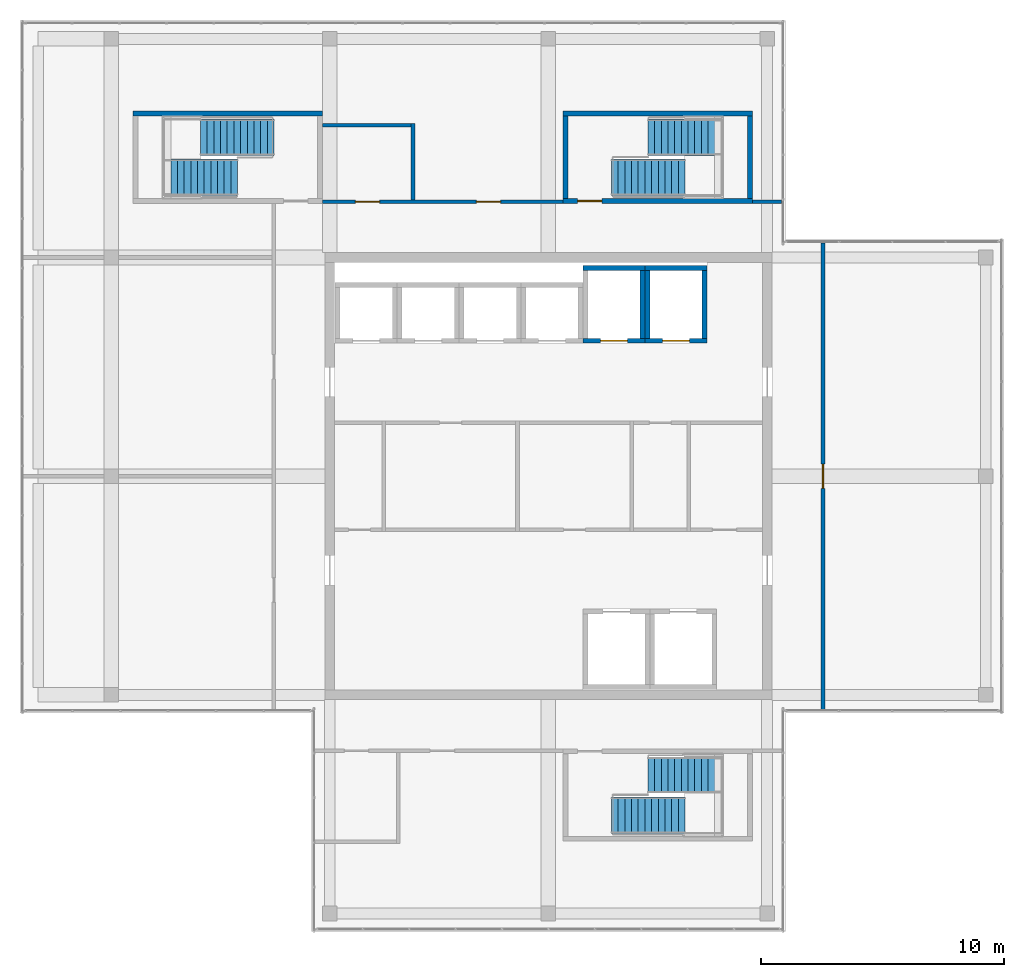
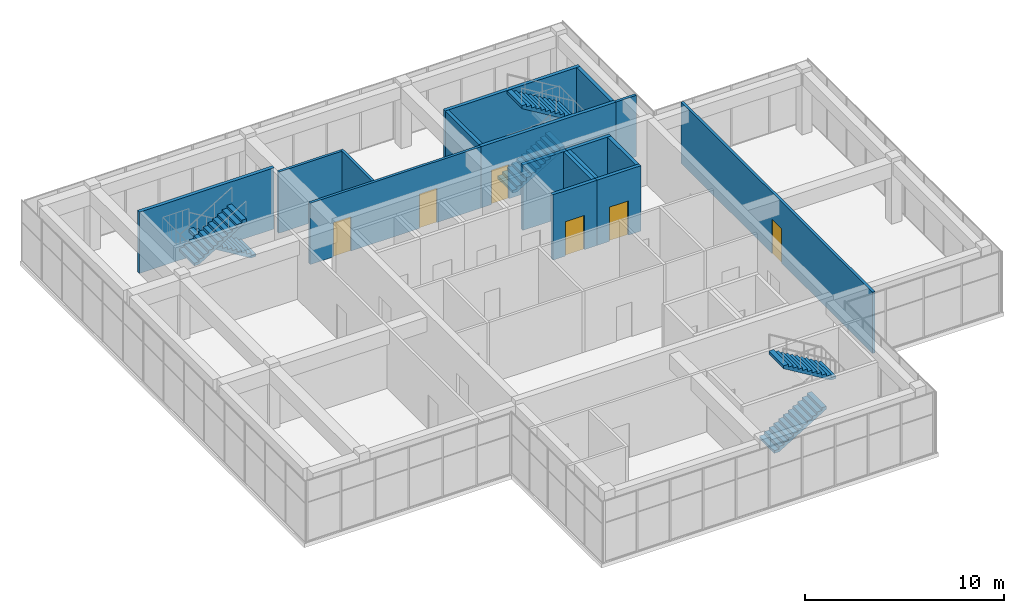
# One storey, part 33 of 35: 17 walls, 6 doors, 6 stair flights, 6 openings, 3 elements without a shape of their own.
"""IFC4 building model written with IfcOpenShell, lengths in metres."""

from ifc_helpers import new_model, si_unit, direction, frame, frame_2d, origin, place, context, subcontext, project, spatial, polyline, rectangle, outline, extrude, material, layer, layer_set, type_object, element, fill, aggregate, save


model = new_model("IFC4")

# Units and contexts
model_context = context("Model", 3, precision=1e-05, world=origin(), true_north=direction((0.0, 1.0)))
body_context = subcontext(model_context, "Body", "Model", "MODEL_VIEW")
ifc_project = project(units=[si_unit("LENGTHUNIT", "METRE"), si_unit("AREAUNIT", "SQUARE_METRE"), si_unit("VOLUMEUNIT", "CUBIC_METRE"), si_unit("PLANEANGLEUNIT", "RADIAN"), si_unit("MASSUNIT", "GRAM", prefix="KILO")], contexts=[model_context])

# Site, building, storey
site_placement = place(None, origin())
site = spatial("IfcSite", under=ifc_project, at=site_placement, CompositionType="ELEMENT")
building_placement = place(site_placement, origin())
building = spatial("IfcBuilding", under=site, at=building_placement, Name="Tuart Plaza Theatre", CompositionType="ELEMENT")
storey_placement = place(building_placement, frame((0.0, 0.0, 45.5)))
storey = spatial("IfcBuildingStorey", under=building, at=storey_placement, Name="L11", CompositionType="ELEMENT", Elevation=45.5)

# Wall, opening, door
ifc_material_1 = material(Name="Masonry block", Category="masonry")
ifc_layer_1 = layer(ifc_material_1, 0.14990234375)
ifc_layer_set_1 = layer_set([ifc_layer_1], Name="PARTITION BLK150 MASONRYB FRL 120/-/-")
wall_type_1 = type_object("IfcWallType", Name="PARTITION BLK150 MASONRYB FRL 120/-/-", PredefinedType="PARTITIONING", material=ifc_layer_set_1)
wall_1_placement = place(storey_placement, frame((143.300048828125, 83.60009765625, 0.0), z_axis=(0.0, 0.0, 1.0), x_axis=(0.0, -1.0, 0.0)))
wall_1 = element("IfcWall", 1, at=wall_1_placement, inside=storey, type_object=wall_type_1, Name="P683", PredefinedType="PARTITIONING", context=body_context, shape_type="SweptSolid", body=[
    extrude(rectangle(XDim=19.2001953125, YDim=0.14990234375, at=frame_2d((9.60009765625, 0.0))), origin(), (0.0, 0.0, 1.0), 3.75),
])
opening_1_placement = place(wall_1_placement, frame((9.10009765625, 0.0, 0.0)))
opening_1 = element("IfcOpeningElement", 2, at=opening_1_placement, cuts=wall_1, Name="Opening L11-025", PredefinedType="OPENING", context=body_context, shape_type="SweptSolid", body=[
    extrude(rectangle(XDim=1.0, YDim=2.10009765625, at=frame_2d((0.5, 1.050048828125))), frame((0.0, 0.0849609375, 0.0), z_axis=(0.0, -1.0, 0.0), x_axis=(1.0, 0.0, 0.0)), (0.0, 0.0, 1.0), 0.169921875),
])
ifc_material_2 = material(Name="Timber", Category="wood")
door_type_1 = type_object("IfcDoorType", Name="DOOR 1000x2100 timber single swing FRL -/60/30", OperationType="SINGLE_SWING_LEFT", PredefinedType="DOOR", material=ifc_material_2)
door_1_placement = place(opening_1_placement, origin())
door_1 = element("IfcDoor", 3, at=door_1_placement, inside=storey, type_object=door_type_1, Name="L11-025", OperationType="SINGLE_SWING_LEFT", OverallHeight=2.10009765625, OverallWidth=1.0, PredefinedType="DOOR", context=body_context, shape_type="SweptSolid", body=[
    extrude(rectangle(XDim=1.0, YDim=2.10009765625, at=frame_2d((0.5, 1.050048828125))), frame((0.0, 0.02490234375, 0.0), z_axis=(0.0, -1.0, 0.0), x_axis=(1.0, 0.0, 0.0)), (0.0, 0.0, 1.0), 0.050048828125),
])
fill(opening_1, door_1)

# Wall, openings, doors
wall_2_placement = place(storey_placement, frame((122.699951171875, 85.300048828125, 0.0), z_axis=(0.0, 0.0, 1.0), x_axis=(1.0, 0.0, 0.0)))
wall_2 = element("IfcWall", 4, at=wall_2_placement, inside=storey, type_object=wall_type_1, Name="P684", PredefinedType="PARTITIONING", context=body_context, shape_type="SweptSolid", body=[
    extrude(rectangle(XDim=9.900146484375, YDim=0.14990234375, at=frame_2d((4.9501953125, 0.0))), origin(), (0.0, 0.0, 1.0), 3.75),
])
opening_2_placement = place(wall_2_placement, frame((1.35009765625, 0.0, 0.0)))
opening_2 = element("IfcOpeningElement", 5, at=opening_2_placement, cuts=wall_2, Name="Opening L11-022", PredefinedType="OPENING", context=body_context, shape_type="SweptSolid", body=[
    extrude(rectangle(XDim=1.0, YDim=2.10009765625, at=frame_2d((0.5, 1.050048828125))), frame((0.0, 0.0849609375, 0.0), z_axis=(0.0, -1.0, 0.0), x_axis=(1.0, 0.0, 0.0)), (0.0, 0.0, 1.0), 0.169921875),
])
opening_3_placement = place(wall_2_placement, frame((6.3349609375, 0.0, 0.0)))
opening_3 = element("IfcOpeningElement", 6, at=opening_3_placement, cuts=wall_2, Name="Opening L11-027", PredefinedType="OPENING", context=body_context, shape_type="SweptSolid", body=[
    extrude(rectangle(XDim=1.0, YDim=2.10009765625, at=frame_2d((0.5, 1.050048828125))), frame((0.0, 0.0849609375, 0.0), z_axis=(0.0, -1.0, 0.0), x_axis=(1.0, 0.0, 0.0)), (0.0, 0.0, 1.0), 0.169921875),
])
door_2_placement = place(opening_2_placement, origin())
door_2 = element("IfcDoor", 7, at=door_2_placement, inside=storey, type_object=door_type_1, Name="L11-022", OperationType="SINGLE_SWING_LEFT", OverallHeight=2.10009765625, OverallWidth=1.0, PredefinedType="DOOR", context=body_context, shape_type="SweptSolid", body=[
    extrude(rectangle(XDim=1.0, YDim=2.10009765625, at=frame_2d((0.5, 1.050048828125))), frame((0.0, 0.02490234375, 0.0), z_axis=(0.0, -1.0, 0.0), x_axis=(1.0, 0.0, 0.0)), (0.0, 0.0, 1.0), 0.050048828125),
])
fill(opening_2, door_2)
door_3_placement = place(opening_3_placement, origin())
door_3 = element("IfcDoor", 8, at=door_3_placement, inside=storey, type_object=door_type_1, Name="L11-027", OperationType="SINGLE_SWING_LEFT", OverallHeight=2.10009765625, OverallWidth=1.0, PredefinedType="DOOR", context=body_context, shape_type="SweptSolid", body=[
    extrude(rectangle(XDim=1.0, YDim=2.10009765625, at=frame_2d((0.5, 1.050048828125))), frame((0.0, 0.02490234375, 0.0), z_axis=(0.0, -1.0, 0.0), x_axis=(1.0, 0.0, 0.0)), (0.0, 0.0, 1.0), 0.050048828125),
])
fill(opening_3, door_3)

# Walls
wall_3_placement = place(storey_placement, frame((140.39990234375, 85.300048828125, 0.0), z_axis=(0.0, 0.0, 1.0), x_axis=(1.0, 0.0, 0.0)))
element("IfcWall", 9, at=wall_3_placement, inside=storey, type_object=wall_type_1, Name="P685", PredefinedType="PARTITIONING", context=body_context, shape_type="SweptSolid", body=[
    extrude(rectangle(XDim=1.2001953125, YDim=0.14990234375, at=frame_2d((0.60009765625, 0.0))), origin(), (0.0, 0.0, 1.0), 3.75),
])
wall_4_placement = place(storey_placement, frame((122.699951171875, 88.449951171875, 0.0), z_axis=(0.0, 0.0, 1.0), x_axis=(1.0, 0.0, 0.0)))
element("IfcWall", 10, at=wall_4_placement, inside=storey, type_object=wall_type_1, Name="P690", PredefinedType="PARTITIONING", context=body_context, shape_type="SweptSolid", body=[
    extrude(rectangle(XDim=3.650146484375, YDim=0.14990234375, at=frame_2d((1.8251953125, 0.0))), origin(), (0.0, 0.0, 1.0), 3.75),
])
wall_5_placement = place(storey_placement, frame((126.425048828125, 85.375, 0.0), z_axis=(0.0, 0.0, 1.0), x_axis=(0.0, 1.0, 0.0)))
element("IfcWall", 11, at=wall_5_placement, inside=storey, type_object=wall_type_1, Name="P691", PredefinedType="PARTITIONING", context=body_context, shape_type="SweptSolid", body=[
    extrude(rectangle(XDim=3.14990234375, YDim=0.14990234375, at=frame_2d((1.574951171875, 0.0))), origin(), (0.0, 0.0, 1.0), 3.75),
])

# Wall, opening, door
ifc_material_3 = material(Name="Concrete N40 (40 MPa)", Category="concrete")
ifc_layer_2 = layer(ifc_material_3, 0.199951171875)
ifc_layer_set_2 = layer_set([ifc_layer_2], Name="SHEAR WALL RC200 FRL 120/120/120")
wall_type_2 = type_object("IfcWallType", Name="SHEAR WALL RC200 FRL 120/120/120", PredefinedType="SHEAR", material=ifc_layer_set_2)
wall_6_placement = place(storey_placement, frame((133.425048828125, 79.574951171875, 0.0), z_axis=(0.0, 0.0, 1.0), x_axis=(1.0, 0.0, 0.0)))
wall_6 = element("IfcWall", 12, at=wall_6_placement, inside=storey, type_object=wall_type_2, Name="W1210", PredefinedType="SHEAR", context=body_context, shape_type="SweptSolid", body=[
    extrude(rectangle(XDim=2.550048828125, YDim=0.199951171875, at=frame_2d((1.27490234375, 0.0))), origin(), (0.0, 0.0, 1.0), 4.0),
])
opening_4_placement = place(wall_6_placement, frame((0.72509765625, 0.0, 0.0)))
opening_4 = element("IfcOpeningElement", 13, at=opening_4_placement, cuts=wall_6, Name="Opening L11-007", PredefinedType="OPENING", context=body_context, shape_type="SweptSolid", body=[
    extrude(rectangle(XDim=1.10009765625, YDim=2.10009765625, at=frame_2d((0.550048828125, 1.050048828125))), frame((0.0, 0.10986328125, 0.0), z_axis=(0.0, -1.0, 0.0), x_axis=(1.0, 0.0, 0.0)), (0.0, 0.0, 1.0), 0.219970703125),
])
ifc_material_4 = material(Name="Steel Grade 300", Category="steel")
door_type_2 = type_object("IfcDoorType", Name="LANDING DOOR 1100x2100 steel sliding FRL -/120/30", OperationType="SLIDING_TO_LEFT", PredefinedType="DOOR", material=ifc_material_4)
door_4_placement = place(opening_4_placement, origin())
door_4 = element("IfcDoor", 14, at=door_4_placement, inside=storey, type_object=door_type_2, Name="L11-007", OperationType="SLIDING_TO_LEFT", OverallHeight=2.10009765625, OverallWidth=1.10009765625, PredefinedType="DOOR", context=body_context, shape_type="SweptSolid", body=[
    extrude(rectangle(XDim=1.10009765625, YDim=2.10009765625, at=frame_2d((0.550048828125, 1.050048828125))), frame((0.0, 0.02490234375, 0.0), z_axis=(0.0, -1.0, 0.0), x_axis=(1.0, 0.0, 0.0)), (0.0, 0.0, 1.0), 0.050048828125),
])
fill(opening_4, door_4)

# Walls
wall_7_placement = place(storey_placement, frame((135.875, 79.675048828125, 0.0), z_axis=(0.0, 0.0, 1.0), x_axis=(0.0, 1.0, 0.0)))
element("IfcWall", 15, at=wall_7_placement, inside=storey, type_object=wall_type_2, Name="W1211", PredefinedType="SHEAR", context=body_context, shape_type="SweptSolid", body=[
    extrude(rectangle(XDim=2.800048828125, YDim=0.199951171875, at=frame_2d((1.39990234375, 0.0))), origin(), (0.0, 0.0, 1.0), 4.0),
])
wall_8_placement = place(storey_placement, frame((135.97509765625, 82.574951171875, 0.0), z_axis=(0.0, 0.0, 1.0), x_axis=(-1.0, 0.0, 0.0)))
element("IfcWall", 16, at=wall_8_placement, inside=storey, type_object=wall_type_2, Name="W1212", PredefinedType="SHEAR", context=body_context, shape_type="SweptSolid", body=[
    extrude(rectangle(XDim=2.550048828125, YDim=0.199951171875, at=frame_2d((1.27490234375, 0.0))), origin(), (0.0, 0.0, 1.0), 4.0),
])

# Wall, opening, door
wall_9_placement = place(storey_placement, frame((135.97509765625, 79.574951171875, 0.0), z_axis=(0.0, 0.0, 1.0), x_axis=(1.0, 0.0, 0.0)))
wall_9 = element("IfcWall", 17, at=wall_9_placement, inside=storey, type_object=wall_type_2, Name="W1286", PredefinedType="SHEAR", context=body_context, shape_type="SweptSolid", body=[
    extrude(rectangle(XDim=2.5498046875, YDim=0.199951171875, at=frame_2d((1.27490234375, 0.0))), origin(), (0.0, 0.0, 1.0), 4.0),
])
opening_5_placement = place(wall_9_placement, frame((0.72509765625, 0.0, 0.0)))
opening_5 = element("IfcOpeningElement", 18, at=opening_5_placement, cuts=wall_9, Name="Opening L11-008", PredefinedType="OPENING", context=body_context, shape_type="SweptSolid", body=[
    extrude(rectangle(XDim=1.10009765625, YDim=2.10009765625, at=frame_2d((0.550048828125, 1.050048828125))), frame((0.0, 0.10986328125, 0.0), z_axis=(0.0, -1.0, 0.0), x_axis=(1.0, 0.0, 0.0)), (0.0, 0.0, 1.0), 0.219970703125),
])
door_5_placement = place(opening_5_placement, origin())
door_5 = element("IfcDoor", 19, at=door_5_placement, inside=storey, type_object=door_type_2, Name="L11-008", OperationType="SLIDING_TO_LEFT", OverallHeight=2.10009765625, OverallWidth=1.10009765625, PredefinedType="DOOR", context=body_context, shape_type="SweptSolid", body=[
    extrude(rectangle(XDim=1.10009765625, YDim=2.10009765625, at=frame_2d((0.550048828125, 1.050048828125))), frame((0.0, 0.02490234375, 0.0), z_axis=(0.0, -1.0, 0.0), x_axis=(1.0, 0.0, 0.0)), (0.0, 0.0, 1.0), 0.050048828125),
])
fill(opening_5, door_5)

# Walls
wall_10_placement = place(storey_placement, frame((138.425048828125, 79.675048828125, 0.0), z_axis=(0.0, 0.0, 1.0), x_axis=(0.0, 1.0, 0.0)))
element("IfcWall", 20, at=wall_10_placement, inside=storey, type_object=wall_type_2, Name="W1287", PredefinedType="SHEAR", context=body_context, shape_type="SweptSolid", body=[
    extrude(rectangle(XDim=2.800048828125, YDim=0.199951171875, at=frame_2d((1.39990234375, 0.0))), origin(), (0.0, 0.0, 1.0), 4.0),
])
wall_11_placement = place(storey_placement, frame((138.52490234375, 82.574951171875, 0.0), z_axis=(0.0, 0.0, 1.0), x_axis=(-1.0, 0.0, 0.0)))
element("IfcWall", 21, at=wall_11_placement, inside=storey, type_object=wall_type_2, Name="W1288", PredefinedType="SHEAR", context=body_context, shape_type="SweptSolid", body=[
    extrude(rectangle(XDim=2.5498046875, YDim=0.199951171875, at=frame_2d((1.27490234375, 0.0))), origin(), (0.0, 0.0, 1.0), 4.0),
])
wall_12_placement = place(storey_placement, frame((136.074951171875, 82.47509765625, 0.0), z_axis=(0.0, 0.0, 1.0), x_axis=(0.0, -1.0, 0.0)))
element("IfcWall", 22, at=wall_12_placement, inside=storey, type_object=wall_type_2, Name="W1289", PredefinedType="SHEAR", context=body_context, shape_type="SweptSolid", body=[
    extrude(rectangle(XDim=2.800048828125, YDim=0.199951171875, at=frame_2d((1.39990234375, 0.0))), origin(), (0.0, 0.0, 1.0), 4.0),
])

# Wall, opening, door
wall_13_placement = place(storey_placement, frame((132.60009765625, 85.324951171875, 0.0), z_axis=(0.0, 0.0, 1.0), x_axis=(1.0, 0.0, 0.0)))
wall_13 = element("IfcWall", 23, at=wall_13_placement, inside=storey, type_object=wall_type_2, Name="P436", PredefinedType="SHEAR", context=body_context, shape_type="SweptSolid", body=[
    extrude(rectangle(XDim=7.7998046875, YDim=0.199951171875, at=frame_2d((3.89990234375, 0.0))), origin(), (0.0, 0.0, 1.0), 3.75),
])
opening_6_placement = place(wall_13_placement, frame((0.60009765625, 0.0, 0.0)))
opening_6 = element("IfcOpeningElement", 24, at=opening_6_placement, cuts=wall_13, Name="Opening L11-010", PredefinedType="OPENING", context=body_context, shape_type="SweptSolid", body=[
    extrude(rectangle(XDim=1.0, YDim=2.10009765625, at=frame_2d((0.5, 1.050048828125))), frame((0.0, 0.10986328125, 0.0), z_axis=(0.0, -1.0, 0.0), x_axis=(1.0, 0.0, 0.0)), (0.0, 0.0, 1.0), 0.219970703125),
])
ifc_material_5 = material(Name="Steel Grade 300", Category="steel")
door_type_3 = type_object("IfcDoorType", Name="DOOR 1000x2100 steel single swing FRL -/120/30", OperationType="SINGLE_SWING_LEFT", PredefinedType="DOOR", material=ifc_material_5)
door_6_placement = place(opening_6_placement, origin())
door_6 = element("IfcDoor", 25, at=door_6_placement, inside=storey, type_object=door_type_3, Name="L11-010", OperationType="SINGLE_SWING_RIGHT", OverallHeight=2.10009765625, OverallWidth=1.0, PredefinedType="DOOR", context=body_context, shape_type="SweptSolid", body=[
    extrude(rectangle(XDim=1.0, YDim=2.10009765625, at=frame_2d((0.5, 1.050048828125))), frame((0.0, 0.02490234375, 0.0), z_axis=(0.0, -1.0, 0.0), x_axis=(1.0, 0.0, 0.0)), (0.0, 0.0, 1.0), 0.050048828125),
])
fill(opening_6, door_6)

# Walls
wall_14_placement = place(storey_placement, frame((140.300048828125, 85.425048828125, 0.0), z_axis=(0.0, 0.0, 1.0), x_axis=(0.0, 1.0, 0.0)))
element("IfcWall", 26, at=wall_14_placement, inside=storey, type_object=wall_type_2, Name="P437", PredefinedType="SHEAR", context=body_context, shape_type="SweptSolid", body=[
    extrude(rectangle(XDim=3.39990234375, YDim=0.199951171875, at=frame_2d((1.699951171875, 0.0))), origin(), (0.0, 0.0, 1.0), 3.75),
])
wall_15_placement = place(storey_placement, frame((140.39990234375, 88.925048828125, 0.0), z_axis=(0.0, 0.0, 1.0), x_axis=(-1.0, 0.0, 0.0)))
element("IfcWall", 27, at=wall_15_placement, inside=storey, type_object=wall_type_2, Name="P438", PredefinedType="SHEAR", context=body_context, shape_type="SweptSolid", body=[
    extrude(rectangle(XDim=7.7998046875, YDim=0.199951171875, at=frame_2d((3.89990234375, 0.0))), origin(), (0.0, 0.0, 1.0), 3.75),
])
wall_16_placement = place(storey_placement, frame((132.699951171875, 88.824951171875, 0.0), z_axis=(0.0, 0.0, 1.0), x_axis=(0.0, -1.0, 0.0)))
element("IfcWall", 28, at=wall_16_placement, inside=storey, type_object=wall_type_2, Name="P439", PredefinedType="SHEAR", context=body_context, shape_type="SweptSolid", body=[
    extrude(rectangle(XDim=3.39990234375, YDim=0.199951171875, at=frame_2d((1.699951171875, 0.0))), origin(), (0.0, 0.0, 1.0), 3.75),
])
wall_17_placement = place(storey_placement, frame((122.699951171875, 88.925048828125, 0.0), z_axis=(0.0, 0.0, 1.0), x_axis=(-1.0, 0.0, 0.0)))
element("IfcWall", 29, at=wall_17_placement, inside=storey, type_object=wall_type_2, Name="P466", PredefinedType="SHEAR", context=body_context, shape_type="SweptSolid", body=[
    extrude(rectangle(XDim=7.800048828125, YDim=0.199951171875, at=frame_2d((3.89990234375, 0.0))), origin(), (0.0, 0.0, 1.0), 3.75),
])

# Stair, stair flights
ifc_material_6 = material(Name="Concrete N40 (40 MPa)", Category="concrete")
stair_type = type_object("IfcStairType", Name="STAIR half turn 1500", PredefinedType="HALF_TURN_STAIR", material=ifc_material_6)
stair_1_placement = place(storey_placement, origin())
stair_1 = element("IfcStair", 30, at=stair_1_placement, inside=storey, type_object=stair_type, Name="SC-5", PredefinedType="HALF_TURN_STAIR")
ifc_material_7 = material(Name="Concrete N40 (40 MPa)", Category="concrete")
stair_flight_type = type_object("IfcStairFlightType", Name="STAIR FLIGHT 166.7 275 1500", PredefinedType="STRAIGHT", material=ifc_material_7)
stair_flight_1_placement = place(storey_placement, frame((134.594970703125, 60.050048828125, 0.0), z_axis=(0.0, 0.0, 1.0), x_axis=(1.0, 0.0, 0.0)))
stair_flight_1 = element("IfcStairFlight", 31, at=stair_flight_1_placement, type_object=stair_flight_type, Name="SC-5 flight 1", NumberOfRisers=12, NumberOfTreads=11, PredefinedType="STRAIGHT", RiserHeight=0.166666667, TreadLength=0.275, context=body_context, shape_type="SweptSolid", body=[
    extrude(outline(polyline([(0.0, 0.0), (0.0, 0.166748046875), (0.27490234375, 0.166748046875), (0.27490234375, 0.333251953125), (0.550048828125, 0.333251953125), (0.550048828125, 0.5), (0.824951171875, 0.5), (0.824951171875, 0.666748046875), (1.10009765625, 0.666748046875), (1.10009765625, 0.833251953125), (1.375, 0.833251953125), (1.375, 1.0), (1.64990234375, 1.0), (1.64990234375, 1.166748046875), (1.925048828125, 1.166748046875), (1.925048828125, 1.333251953125), (2.199951171875, 1.333251953125), (2.199951171875, 1.5), (2.47509765625, 1.5), (2.47509765625, 1.666748046875), (2.75, 1.666748046875), (2.75, 1.833251953125), (3.02490234375, 1.833251953125), (3.02490234375, 2.0), (3.02490234375, 1.657958984375), (0.289306640625, 0.0), (0.0, 0.0)])), frame((0.0, 0.75, 0.0), z_axis=(0.0, -1.0, 0.0), x_axis=(1.0, 0.0, 0.0)), (0.0, 0.0, 1.0), 1.5),
])
stair_flight_2_placement = place(storey_placement, frame((139.1201171875, 61.699951171875, 2.0), z_axis=(0.0, 0.0, 1.0), x_axis=(-1.0, 0.0, 0.0)))
stair_flight_2 = element("IfcStairFlight", 32, at=stair_flight_2_placement, type_object=stair_flight_type, Name="SC-5 flight 2", NumberOfRisers=12, NumberOfTreads=11, PredefinedType="STRAIGHT", RiserHeight=0.166666667, TreadLength=0.275, context=body_context, shape_type="SweptSolid", body=[
    extrude(outline(polyline([(0.0, 0.0), (0.0, 0.166748046875), (0.27490234375, 0.166748046875), (0.27490234375, 0.333251953125), (0.550048828125, 0.333251953125), (0.550048828125, 0.5), (0.824951171875, 0.5), (0.824951171875, 0.666748046875), (1.10009765625, 0.666748046875), (1.10009765625, 0.833251953125), (1.375, 0.833251953125), (1.375, 1.0), (1.64990234375, 1.0), (1.64990234375, 1.166748046875), (1.925048828125, 1.166748046875), (1.925048828125, 1.333251953125), (2.199951171875, 1.333251953125), (2.199951171875, 1.5), (2.47509765625, 1.5), (2.47509765625, 1.666748046875), (2.75, 1.666748046875), (2.75, 1.833251953125), (3.02490234375, 1.833251953125), (3.02490234375, 2.0), (3.02490234375, 1.657958984375), (0.289306640625, 0.0), (0.0, 0.0)])), frame((0.0, 0.75, 0.0), z_axis=(0.0, -1.0, 0.0), x_axis=(1.0, 0.0, 0.0)), (0.0, 0.0, 1.0), 1.5),
])
aggregate(stair_1, [stair_flight_1, stair_flight_2])

stair_2_placement = place(storey_placement, origin())
stair_2 = element("IfcStair", 33, at=stair_2_placement, inside=storey, type_object=stair_type, Name="SC-11", PredefinedType="HALF_TURN_STAIR")
stair_flight_3_placement = place(storey_placement, frame((134.594970703125, 86.300048828125, 0.0), z_axis=(0.0, 0.0, 1.0), x_axis=(1.0, 0.0, 0.0)))
stair_flight_3 = element("IfcStairFlight", 34, at=stair_flight_3_placement, type_object=stair_flight_type, Name="SC-11 flight 1", NumberOfRisers=12, NumberOfTreads=11, PredefinedType="STRAIGHT", RiserHeight=0.166666667, TreadLength=0.275, context=body_context, shape_type="SweptSolid", body=[
    extrude(outline(polyline([(0.0, 0.0), (0.0, 0.166748046875), (0.27490234375, 0.166748046875), (0.27490234375, 0.333251953125), (0.550048828125, 0.333251953125), (0.550048828125, 0.5), (0.824951171875, 0.5), (0.824951171875, 0.666748046875), (1.10009765625, 0.666748046875), (1.10009765625, 0.833251953125), (1.375, 0.833251953125), (1.375, 1.0), (1.64990234375, 1.0), (1.64990234375, 1.166748046875), (1.925048828125, 1.166748046875), (1.925048828125, 1.333251953125), (2.199951171875, 1.333251953125), (2.199951171875, 1.5), (2.47509765625, 1.5), (2.47509765625, 1.666748046875), (2.75, 1.666748046875), (2.75, 1.833251953125), (3.02490234375, 1.833251953125), (3.02490234375, 2.0), (3.02490234375, 1.657958984375), (0.289306640625, 0.0), (0.0, 0.0)])), frame((0.0, 0.75, 0.0), z_axis=(0.0, -1.0, 0.0), x_axis=(1.0, 0.0, 0.0)), (0.0, 0.0, 1.0), 1.5),
])
stair_flight_4_placement = place(storey_placement, frame((139.1201171875, 87.949951171875, 2.0), z_axis=(0.0, 0.0, 1.0), x_axis=(-1.0, 0.0, 0.0)))
stair_flight_4 = element("IfcStairFlight", 35, at=stair_flight_4_placement, type_object=stair_flight_type, Name="SC-11 flight 2", NumberOfRisers=12, NumberOfTreads=11, PredefinedType="STRAIGHT", RiserHeight=0.166666667, TreadLength=0.275, context=body_context, shape_type="SweptSolid", body=[
    extrude(outline(polyline([(0.0, 0.0), (0.0, 0.166748046875), (0.27490234375, 0.166748046875), (0.27490234375, 0.333251953125), (0.550048828125, 0.333251953125), (0.550048828125, 0.5), (0.824951171875, 0.5), (0.824951171875, 0.666748046875), (1.10009765625, 0.666748046875), (1.10009765625, 0.833251953125), (1.375, 0.833251953125), (1.375, 1.0), (1.64990234375, 1.0), (1.64990234375, 1.166748046875), (1.925048828125, 1.166748046875), (1.925048828125, 1.333251953125), (2.199951171875, 1.333251953125), (2.199951171875, 1.5), (2.47509765625, 1.5), (2.47509765625, 1.666748046875), (2.75, 1.666748046875), (2.75, 1.833251953125), (3.02490234375, 1.833251953125), (3.02490234375, 2.0), (3.02490234375, 1.657958984375), (0.289306640625, 0.0), (0.0, 0.0)])), frame((0.0, 0.75, 0.0), z_axis=(0.0, -1.0, 0.0), x_axis=(1.0, 0.0, 0.0)), (0.0, 0.0, 1.0), 1.5),
])
aggregate(stair_2, [stair_flight_3, stair_flight_4])

stair_3_placement = place(storey_placement, origin())
stair_3 = element("IfcStair", 36, at=stair_3_placement, inside=storey, type_object=stair_type, Name="SC-17", PredefinedType="HALF_TURN_STAIR")
stair_flight_5_placement = place(storey_placement, frame((120.705078125, 87.949951171875, 0.0), z_axis=(0.0, 0.0, 1.0), x_axis=(-1.0, 0.0, 0.0)))
stair_flight_5 = element("IfcStairFlight", 37, at=stair_flight_5_placement, type_object=stair_flight_type, Name="SC-17 flight 1", NumberOfRisers=12, NumberOfTreads=11, PredefinedType="STRAIGHT", RiserHeight=0.166666667, TreadLength=0.275, context=body_context, shape_type="SweptSolid", body=[
    extrude(outline(polyline([(0.0, 0.0), (0.0, 0.166748046875), (0.27490234375, 0.166748046875), (0.27490234375, 0.333251953125), (0.550048828125, 0.333251953125), (0.550048828125, 0.5), (0.824951171875, 0.5), (0.824951171875, 0.666748046875), (1.10009765625, 0.666748046875), (1.10009765625, 0.833251953125), (1.375, 0.833251953125), (1.375, 1.0), (1.64990234375, 1.0), (1.64990234375, 1.166748046875), (1.925048828125, 1.166748046875), (1.925048828125, 1.333251953125), (2.199951171875, 1.333251953125), (2.199951171875, 1.5), (2.47509765625, 1.5), (2.47509765625, 1.666748046875), (2.75, 1.666748046875), (2.75, 1.833251953125), (3.02490234375, 1.833251953125), (3.02490234375, 2.0), (3.02490234375, 1.657958984375), (0.289306640625, 0.0), (0.0, 0.0)])), frame((0.0, 0.75, 0.0), z_axis=(0.0, -1.0, 0.0), x_axis=(1.0, 0.0, 0.0)), (0.0, 0.0, 1.0), 1.5),
])
stair_flight_6_placement = place(storey_placement, frame((116.179931640625, 86.300048828125, 2.0), z_axis=(0.0, 0.0, 1.0), x_axis=(1.0, 0.0, 0.0)))
stair_flight_6 = element("IfcStairFlight", 38, at=stair_flight_6_placement, type_object=stair_flight_type, Name="SC-17 flight 2", NumberOfRisers=12, NumberOfTreads=11, PredefinedType="STRAIGHT", RiserHeight=0.166666667, TreadLength=0.275, context=body_context, shape_type="SweptSolid", body=[
    extrude(outline(polyline([(0.0, 0.0), (0.0, 0.166748046875), (0.27490234375, 0.166748046875), (0.27490234375, 0.333251953125), (0.550048828125, 0.333251953125), (0.550048828125, 0.5), (0.824951171875, 0.5), (0.824951171875, 0.666748046875), (1.10009765625, 0.666748046875), (1.10009765625, 0.833251953125), (1.375, 0.833251953125), (1.375, 1.0), (1.64990234375, 1.0), (1.64990234375, 1.166748046875), (1.925048828125, 1.166748046875), (1.925048828125, 1.333251953125), (2.199951171875, 1.333251953125), (2.199951171875, 1.5), (2.47509765625, 1.5), (2.47509765625, 1.666748046875), (2.75, 1.666748046875), (2.75, 1.833251953125), (3.02490234375, 1.833251953125), (3.02490234375, 2.0), (3.02490234375, 1.657958984375), (0.289306640625, 0.0), (0.0, 0.0)])), frame((0.0, 0.75, 0.0), z_axis=(0.0, -1.0, 0.0), x_axis=(1.0, 0.0, 0.0)), (0.0, 0.0, 1.0), 1.5),
])
aggregate(stair_3, [stair_flight_5, stair_flight_6])

save(model, "model.ifc")
